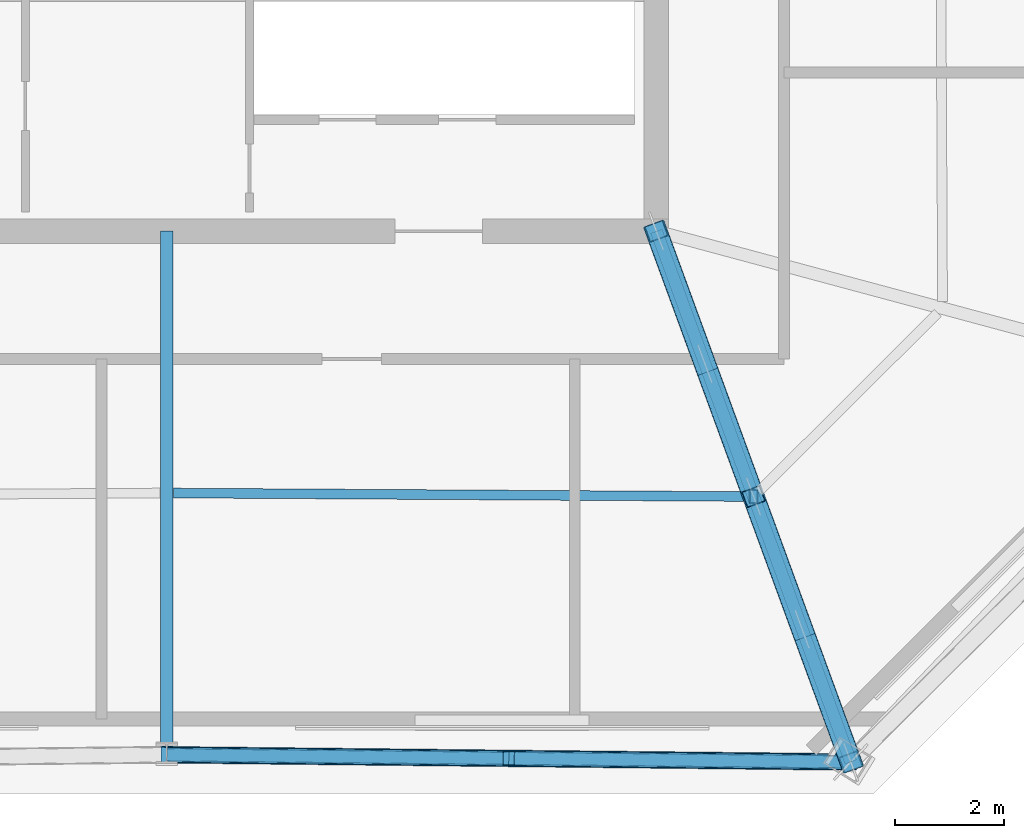
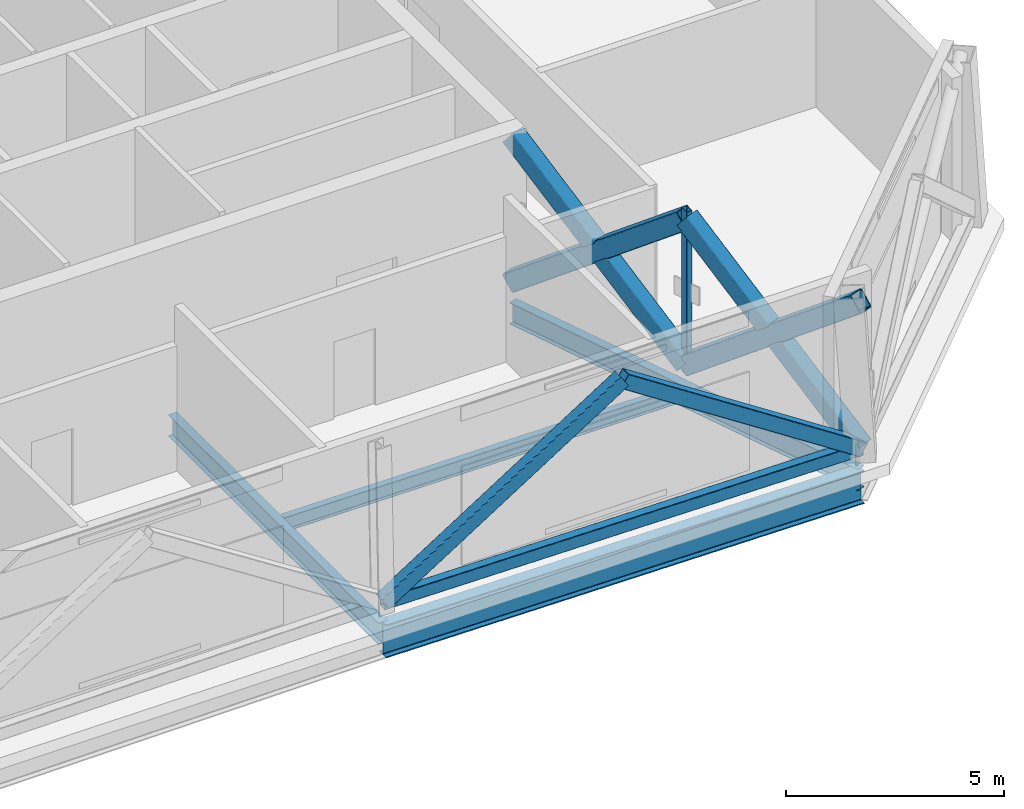
# One storey, part 3 of 10: 10 members, 4 beams.
"""IFC4 building model written with IfcOpenShell, lengths in metres."""

from ifc_helpers import new_model, si_unit, direction, frame, origin, origin_2d, place, context, subcontext, project, spatial, hollow_rectangle, i_section, extrude, material, material_profile, profile_set, type_object, element, save


model = new_model("IFC4")

# Units and contexts
model_context = context("Model", 3, precision=1e-05, world=origin(), true_north=direction((0.0, 1.0)))
body_context = subcontext(model_context, "Body", "Model", "MODEL_VIEW")
ifc_project = project(units=[si_unit("LENGTHUNIT", "METRE"), si_unit("AREAUNIT", "SQUARE_METRE"), si_unit("VOLUMEUNIT", "CUBIC_METRE"), si_unit("PLANEANGLEUNIT", "RADIAN"), si_unit("MASSUNIT", "GRAM", prefix="KILO")], contexts=[model_context])

# Site, building, storey
site_placement = place(None, origin())
site = spatial("IfcSite", under=ifc_project, at=site_placement, CompositionType="ELEMENT")
building_placement = place(site_placement, origin())
building = spatial("IfcBuilding", under=site, at=building_placement, Name="Caelvoria Tower", CompositionType="ELEMENT")
storey_placement = place(building_placement, frame((0.0, 0.0, 234.60009765625)))
storey = spatial("IfcBuildingStorey", under=building, at=storey_placement, Name="L62", CompositionType="ELEMENT", Elevation=234.60009765625)

# Members
ifc_material_1 = material(Name="Structural Steel ASTM A572 Gr.50", Category="steel")
ifc_material_profile_1 = material_profile(ifc_material_1, hollow_rectangle(XDim=0.25, YDim=0.35009765625, WallThickness=0.013916015625, InnerFilletRadius=0.013916015625, OuterFilletRadius=0.028076171875, at=origin_2d()), Name="Structural Steel ASTM A572 Gr.50")
ifc_profile_set_1 = profile_set([ifc_material_profile_1], Name="HSS350X250X14 - Structural Steel ASTM A572 Gr.50")
member_type_1 = type_object("IfcMemberType", Name="Belt Truss Chord Member HSS350X250X14", PredefinedType="CHORD", material=ifc_profile_set_1)
member_1_placement = place(storey_placement, frame((46.0, 14.37451171875, 0.25), z_axis=(0.999944637351, -0.010522463275, 0.0), x_axis=(0.010522463275, 0.999944637351, 0.0)))
element("IfcMember", 1, at=member_1_placement, inside=storey, type_object=member_type_1, Name="Belt Truss Bottom Chord L62-01", PredefinedType="CHORD", context=body_context, shape_type="SweptSolid", body=[
    extrude(hollow_rectangle(XDim=0.25, YDim=0.35009765625, WallThickness=0.013916015625, InnerFilletRadius=0.013916015625, OuterFilletRadius=0.028076171875, at=origin_2d()), origin(), (0.0, 0.0, 1.0), 12.575439453125),
])
ifc_material_profile_2 = material_profile(ifc_material_1, hollow_rectangle(XDim=0.300048828125, YDim=0.39990234375, WallThickness=0.01611328125, InnerFilletRadius=0.01611328125, OuterFilletRadius=0.031982421875, at=origin_2d()), Name="Structural Steel ASTM A572 Gr.50")
ifc_profile_set_2 = profile_set([ifc_material_profile_2], Name="HSS400X300X16 - Structural Steel ASTM A572 Gr.50")
member_type_2 = type_object("IfcMemberType", Name="Belt Truss Diagonal HSS400X300X16", PredefinedType="BRACE", material=ifc_profile_set_2)
for number, where, z_axis, x_axis, name in (
    (2, (46.0, 14.37451171875, 0.25), (0.83913156162, -0.008830219904, 0.543856828136), (0.010522463275, 0.999944637351, 0.0), "Belt Truss Diagonal L62-01A"),
    (3, (52.287353515625, 14.308349609375, 4.324951171875), (0.83913156162, -0.008830219904, -0.543856828136), (0.010522463275, 0.999944637351, 0.0), "Belt Truss Diagonal L62-01B"),
):
    element("IfcMember", number, at=place(storey_placement, frame(where, z_axis=z_axis, x_axis=x_axis)), inside=storey, type_object=member_type_2, Name=name, PredefinedType="BRACE", context=body_context, shape_type="SweptSolid", body=[
        extrude(hollow_rectangle(XDim=0.300048828125, YDim=0.39990234375, WallThickness=0.01611328125, InnerFilletRadius=0.01611328125, OuterFilletRadius=0.031982421875, at=origin_2d()), origin(), (0.0, 0.0, 1.0), 7.49267578125),
    ])
ifc_material_profile_3 = material_profile(ifc_material_1, hollow_rectangle(XDim=0.39990234375, YDim=0.5, WallThickness=0.02197265625, InnerFilletRadius=0.02197265625, OuterFilletRadius=0.0439453125, at=origin_2d()), Name="Structural Steel ASTM A572 Gr.50")
ifc_profile_set_3 = profile_set([ifc_material_profile_3], Name="HSS500X400X22 - Structural Steel ASTM A572 Gr.50")
member_type_3 = type_object("IfcMemberType", Name="Outrigger Diagonal HSS500X400X22", PredefinedType="BRACE", material=ifc_profile_set_3)
member_2_placement = place(storey_placement, frame((55.0, 24.0, 0.25), z_axis=(0.270675754431, -0.738858663645, 0.617108184292), x_axis=(0.93897448414, 0.343986799359, 0.0)))
element("IfcMember", 4, at=member_2_placement, inside=storey, type_object=member_type_3, Name="Outrigger Truss Diagonal L62-SE-1A", PredefinedType="BRACE", context=body_context, shape_type="SweptSolid", body=[
    extrude(hollow_rectangle(XDim=0.39990234375, YDim=0.5, WallThickness=0.02197265625, InnerFilletRadius=0.02197265625, OuterFilletRadius=0.0439453125, at=origin_2d()), origin(), (0.0, 0.0, 1.0), 6.603271484375),
])
member_3_placement = place(storey_placement, frame((55.0, 24.0, 4.324951171875), z_axis=(0.270703841243, -0.738834411826, -0.61712490003), x_axis=(0.938959307136, 0.344028224922, 0.0)))
element("IfcMember", 5, at=member_3_placement, inside=storey, type_object=member_type_3, Name="Outrigger Truss Diagonal L62-SE-1B1", PredefinedType="BRACE", context=body_context, shape_type="SweptSolid", body=[
    extrude(hollow_rectangle(XDim=0.39990234375, YDim=0.5, WallThickness=0.02197265625, InnerFilletRadius=0.02197265625, OuterFilletRadius=0.0439453125, at=origin_2d()), origin(), (0.0, 0.0, 1.0), 3.3017578125),
])
member_4_placement = place(storey_placement, frame((55.893798828125, 21.560546875, 2.287353515625), z_axis=(0.270647665326, -0.738882915831, -0.617091466434), x_axis=(0.938989659808, 0.343945371787, 0.0)))
element("IfcMember", 6, at=member_4_placement, inside=storey, type_object=member_type_3, Name="Outrigger Truss Diagonal L62-SE-1B2", PredefinedType="BRACE", context=body_context, shape_type="SweptSolid", body=[
    extrude(hollow_rectangle(XDim=0.39990234375, YDim=0.5, WallThickness=0.02197265625, InnerFilletRadius=0.02197265625, OuterFilletRadius=0.0439453125, at=origin_2d()), origin(), (0.0, 0.0, 1.0), 3.301513671875),
])
member_5_placement = place(storey_placement, frame((56.787353515625, 19.12109375, 0.25), z_axis=(0.270675754431, -0.738858663645, 0.617108184292), x_axis=(0.93897448414, 0.343986799359, 0.0)))
element("IfcMember", 7, at=member_5_placement, inside=storey, type_object=member_type_3, Name="Outrigger Truss Diagonal L62-SE-2A", PredefinedType="BRACE", context=body_context, shape_type="SweptSolid", body=[
    extrude(hollow_rectangle(XDim=0.39990234375, YDim=0.5, WallThickness=0.02197265625, InnerFilletRadius=0.02197265625, OuterFilletRadius=0.0439453125, at=origin_2d()), origin(), (0.0, 0.0, 1.0), 6.603271484375),
])
member_6_placement = place(storey_placement, frame((56.787353515625, 19.12109375, 4.324951171875), z_axis=(0.270703841243, -0.738834411826, -0.61712490003), x_axis=(0.938959307136, 0.344028224922, 0.0)))
element("IfcMember", 8, at=member_6_placement, inside=storey, type_object=member_type_3, Name="Outrigger Truss Diagonal L62-SE-2B1", PredefinedType="BRACE", context=body_context, shape_type="SweptSolid", body=[
    extrude(hollow_rectangle(XDim=0.39990234375, YDim=0.5, WallThickness=0.02197265625, InnerFilletRadius=0.02197265625, OuterFilletRadius=0.0439453125, at=origin_2d()), origin(), (0.0, 0.0, 1.0), 3.3017578125),
])
member_7_placement = place(storey_placement, frame((57.68115234375, 16.681640625, 2.287353515625), z_axis=(0.270647665326, -0.738882915831, -0.617091466434), x_axis=(0.938989659808, 0.343945371787, 0.0)))
element("IfcMember", 9, at=member_7_placement, inside=storey, type_object=member_type_3, Name="Outrigger Truss Diagonal L62-SE-2B2", PredefinedType="BRACE", context=body_context, shape_type="SweptSolid", body=[
    extrude(hollow_rectangle(XDim=0.39990234375, YDim=0.5, WallThickness=0.02197265625, InnerFilletRadius=0.02197265625, OuterFilletRadius=0.0439453125, at=origin_2d()), origin(), (0.0, 0.0, 1.0), 3.301513671875),
])

# Beams
ifc_material_2 = material(Name="Structural Steel ASTM A992 Gr.50", Category="steel")
ifc_material_profile_4 = material_profile(ifc_material_2, i_section(OverallWidth=0.30810546875, OverallDepth=0.927001953125, WebThickness=0.019287109375, FlangeThickness=0.031982421875, FilletRadius=0.02392578125, at=origin_2d()), Name="Structural Steel ASTM A992 Gr.50")
ifc_profile_set_4 = profile_set([ifc_material_profile_4], Name="W920X289 - Structural Steel ASTM A992 Gr.50")
beam_type_1 = type_object("IfcBeamType", Name="Outrigger Tie Girder W920X289", PredefinedType="BEAM", material=ifc_profile_set_4)
beam_1_placement = place(storey_placement, frame((46.0, 14.37451171875, -0.78369140625), z_axis=(0.999944637351, -0.010522463275, 0.0), x_axis=(0.010522463275, 0.999944637351, 0.0)))
element("IfcBeam", 10, at=beam_1_placement, inside=storey, type_object=beam_type_1, Name="Perimeter Spandrel Girder L62-01", PredefinedType="BEAM", context=body_context, shape_type="SweptSolid", body=[
    extrude(i_section(OverallWidth=0.30810546875, OverallDepth=0.927001953125, WebThickness=0.019287109375, FlangeThickness=0.031982421875, FilletRadius=0.02392578125, at=origin_2d()), origin(), (0.0, 0.0, 1.0), 12.575439453125),
])
ifc_material_profile_5 = material_profile(ifc_material_2, i_section(OverallWidth=0.22802734375, OverallDepth=0.60302734375, WebThickness=0.010498046875, FlangeThickness=0.014892578125, FilletRadius=0.01806640625, at=origin_2d()), Name="Structural Steel ASTM A992 Gr.50")
ifc_profile_set_5 = profile_set([ifc_material_profile_5], Name="W610X101 - Structural Steel ASTM A992 Gr.50")
beam_type_2 = type_object("IfcBeamType", Name="Primary Floor Girder W610X101", PredefinedType="BEAM", material=ifc_profile_set_5)
beam_2_placement = place(storey_placement, frame((46.0, 24.0, -0.62158203125), z_axis=(0.0, -1.0, 0.0), x_axis=(1.0, 0.0, 0.0)))
element("IfcBeam", 11, at=beam_2_placement, inside=storey, type_object=beam_type_2, Name="Primary Floor Girder L62-01", PredefinedType="BEAM", context=body_context, shape_type="SweptSolid", body=[
    extrude(i_section(OverallWidth=0.22802734375, OverallDepth=0.60302734375, WebThickness=0.010498046875, FlangeThickness=0.014892578125, FilletRadius=0.01806640625, at=origin_2d()), origin(), (0.0, 0.0, 1.0), 9.62548828125),
])
beam_3_placement = place(storey_placement, frame((55.0, 24.0, -0.62158203125), z_axis=(0.343986799359, -0.93897448414, 0.0), x_axis=(0.93897448414, 0.343986799359, 0.0)))
element("IfcBeam", 12, at=beam_3_placement, inside=storey, type_object=beam_type_2, Name="Primary Floor Girder L62-02", PredefinedType="BEAM", context=body_context, shape_type="SweptSolid", body=[
    extrude(i_section(OverallWidth=0.22802734375, OverallDepth=0.60302734375, WebThickness=0.010498046875, FlangeThickness=0.014892578125, FilletRadius=0.01806640625, at=origin_2d()), origin(), (0.0, 0.0, 1.0), 10.39208984375),
])
ifc_material_profile_6 = material_profile(ifc_material_2, i_section(OverallWidth=0.177978515625, OverallDepth=0.406982421875, WebThickness=0.0078125, FlangeThickness=0.0126953125, FilletRadius=0.013916015625, at=origin_2d()), Name="Structural Steel ASTM A992 Gr.50")
ifc_profile_set_6 = profile_set([ifc_material_profile_6], Name="W410X60 - Structural Steel ASTM A992 Gr.50")
beam_type_3 = type_object("IfcBeamType", Name="Secondary Floor Beam W410X60", PredefinedType="BEAM", material=ifc_profile_set_6)
beam_4_placement = place(storey_placement, frame((46.125, 19.186279296875, -0.523681640625), z_axis=(0.999981293925, -0.006116518653, 0.0), x_axis=(0.006116518653, 0.999981293925, 0.0)))
element("IfcBeam", 13, at=beam_4_placement, inside=storey, type_object=beam_type_3, Name="Secondary Floor Beam L62-01", PredefinedType="BEAM", context=body_context, shape_type="SweptSolid", body=[
    extrude(i_section(OverallWidth=0.177978515625, OverallDepth=0.406982421875, WebThickness=0.0078125, FlangeThickness=0.0126953125, FilletRadius=0.013916015625, at=origin_2d()), origin(), (0.0, 0.0, 1.0), 10.53759765625),
])

# Member
ifc_material_profile_7 = material_profile(ifc_material_1, hollow_rectangle(XDim=0.14990234375, YDim=0.25, WallThickness=0.010009765625, InnerFilletRadius=0.010009765625, OuterFilletRadius=0.02001953125, at=origin_2d()), Name="Structural Steel ASTM A572 Gr.50")
ifc_profile_set_7 = profile_set([ifc_material_profile_7], Name="HSS250X150X10 - Structural Steel ASTM A572 Gr.50")
member_type_4 = type_object("IfcMemberType", Name="Sky Pool Truss Post HSS250X150X10", PredefinedType="POST", material=ifc_profile_set_7)
member_8_placement = place(storey_placement, frame((56.787353515625, 19.12109375, 0.0), z_axis=(0.0, 0.0, 1.0), x_axis=(1.0, 0.0, 0.0)))
element("IfcMember", 14, at=member_8_placement, inside=storey, type_object=member_type_4, Name="Outrigger Mid-Panel Post L62-SE", PredefinedType="POST", context=body_context, shape_type="SweptSolid", body=[
    extrude(hollow_rectangle(XDim=0.14990234375, YDim=0.25, WallThickness=0.010009765625, InnerFilletRadius=0.010009765625, OuterFilletRadius=0.02001953125, at=origin_2d()), origin(), (0.0, 0.0, 1.0), 4.574951171875),
])

save(model, "model.ifc")
